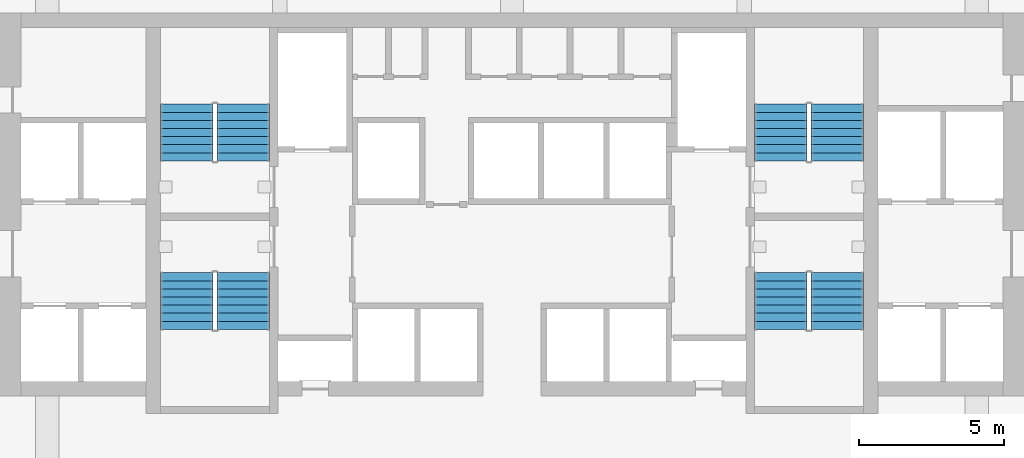
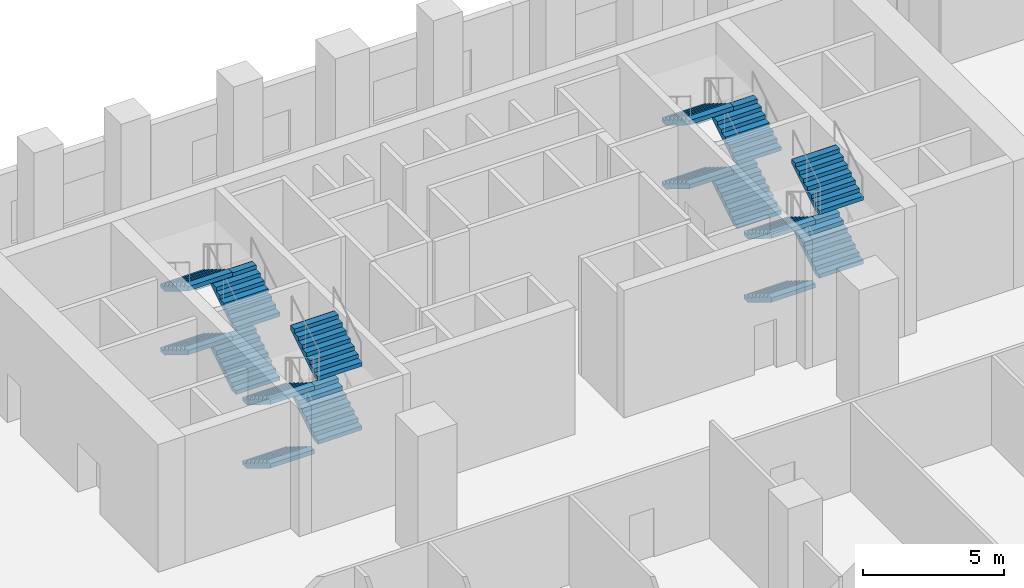
# One storey, part 15 of 22: 16 stair flights, 4 elements without a shape of their own.
"""IFC4 building model written with IfcOpenShell, lengths in metres."""

import ifcopenshell
import ifcopenshell.guid

model = None  # the IFC model being written
_history = None  # IfcOwnerHistory: only IFC2X3 demands one
_inside = {}  # id of a spatial element -> (the spatial element, [elements in it])
_under = {}  # id of a project, library or spatial element -> (it, [spatial elements below it])
_declared = {}  # id of a project -> (the project, [libraries it declares])
_typed = {}  # id of a type object -> (the type object, [elements of that type])
_made_of = {}  # id of a material, layer set ... -> (it, [elements and type objects made of it])


def new_model(schema):
    """Start an empty IFC model of exactly this schema.

    Asked for "IFC4X3", IfcOpenShell would pick the latest addendum, in which some entities
    have other attributes; the version numbers below select the first issue.
    IFC2X3 requires an IfcOwnerHistory on every rooted entity: one is made here for all.
    """
    global model, _history
    if schema == "IFC4X3":
        model = ifcopenshell.file(schema_version=(4, 3, 0, 0))
    else:
        model = ifcopenshell.file(schema=schema)
    _inside.clear()
    _under.clear()
    _declared.clear()
    _typed.clear()
    _made_of.clear()
    _history = None
    if model.schema == "IFC2X3":
        org = make("IfcOrganization", Name="unknown")
        user = make(
            "IfcPersonAndOrganization",
            ThePerson=make("IfcPerson", FamilyName="unknown"),
            TheOrganization=org,
        )
        app = make(
            "IfcApplication",
            ApplicationDeveloper=org,
            Version="unknown",
            ApplicationFullName="unknown",
            ApplicationIdentifier="unknown",
        )
        _history = make(
            "IfcOwnerHistory",
            OwningUser=user,
            OwningApplication=app,
            ChangeAction="ADDED",
            CreationDate=0,
        )
    return model


def make(cls, **values):
    """One entity of the class cls with the attributes given. An attribute that is None is left unset."""
    return model.create_entity(
        cls, **{name: value for name, value in values.items() if value is not None}
    )


def rooted(cls, **values):
    """An entity with a GlobalId (a new one), such as an element, a storey or a relation."""
    return make(cls, GlobalId=ifcopenshell.guid.new(), OwnerHistory=_history, **values)


def si_unit(unit_type, name, prefix=None):
    """IfcSIUnit, for example si_unit("LENGTHUNIT", "METRE", prefix="MILLI")."""
    return make("IfcSIUnit", UnitType=unit_type, Prefix=prefix, Name=name)


def assignment(units):
    """IfcUnitAssignment: the units of a project."""
    return None if units is None else make("IfcUnitAssignment", Units=units)


def point(xyz):
    """IfcCartesianPoint."""
    return None if xyz is None else make("IfcCartesianPoint", Coordinates=xyz)


def direction(xyz):
    """IfcDirection."""
    return None if xyz is None else make("IfcDirection", DirectionRatios=xyz)


def frame(location, z_axis=None, x_axis=None):
    """IfcAxis2Placement3D, a coordinate frame: its origin and axes. An axis left out is left unset."""
    return make(
        "IfcAxis2Placement3D",
        Location=point(location),
        Axis=direction(z_axis),
        RefDirection=direction(x_axis),
    )


def origin():
    """The frame at (0, 0, 0) with its axes left unset."""
    return frame((0.0, 0.0, 0.0))


def place(relative_to, where):
    """IfcLocalPlacement: puts the frame where relative to a parent placement (None: the world)."""
    return make(
        "IfcLocalPlacement", PlacementRelTo=relative_to, RelativePlacement=where
    )


def context(
    kind, dimensions, precision=None, world=None, true_north=None, identifier=None
):
    """IfcGeometricRepresentationContext, for example the 3D "Model" context."""
    return make(
        "IfcGeometricRepresentationContext",
        ContextIdentifier=identifier,
        ContextType=kind,
        CoordinateSpaceDimension=dimensions,
        Precision=precision,
        WorldCoordinateSystem=world,
        TrueNorth=true_north,
    )


def subcontext(parent, identifier, kind, view, scale=None):
    """IfcGeometricRepresentationSubContext, for example "Body" below "Model"."""
    return make(
        "IfcGeometricRepresentationSubContext",
        ContextIdentifier=identifier,
        ContextType=kind,
        ParentContext=parent,
        TargetScale=scale,
        TargetView=view,
    )


def project(units=None, contexts=None):
    """IfcProject with its units and contexts."""
    return rooted(
        "IfcProject",
        Name="project",
        RepresentationContexts=contexts,
        UnitsInContext=assignment(units),
    )


def spatial(cls, under=None, at=None, **own):
    """A site, building, storey or space (cls), placed at a placement, below another one or the project."""
    s = rooted(cls, ObjectPlacement=at, **own)
    if under is not None:
        _under.setdefault(under.id(), (under, []))[1].append(s)
    return s


def faces_of(points, faces, orient=None, outer=None):
    """IfcFace entities. A face is a list of loops; a loop is a list of indices into points, from 0.

    orient and outer hold one flag for each loop. By default every Orientation is true, the
    first loop of a face is its IfcFaceOuterBound and the others are IfcFaceBound.
    """
    made = []
    for i, loops in enumerate(faces):
        bounds = []
        for j, loop in enumerate(loops):
            is_outer = j == 0 if outer is None else outer[i][j]
            bounds.append(
                make(
                    "IfcFaceOuterBound" if is_outer else "IfcFaceBound",
                    Bound=make("IfcPolyLoop", Polygon=[points[k] for k in loop]),
                    Orientation=True if orient is None else orient[i][j],
                )
            )
        made.append(make("IfcFace", Bounds=bounds))
    return made


def faceted_brep(points, faces, orient=None, outer=None, voids=None):
    """IfcFacetedBrep: a solid bounded by flat faces; with voids (closed shells), ...WithVoids."""
    shared = [point(p) for p in points]
    hull = make("IfcClosedShell", CfsFaces=faces_of(shared, faces, orient, outer))
    if voids is None:
        return make("IfcFacetedBrep", Outer=hull)
    return make(
        "IfcFacetedBrepWithVoids",
        Outer=hull,
        Voids=[
            make(cls, CfsFaces=faces_of(shared, fs, o, b)) for cls, fs, o, b in voids
        ],
    )


def shape(context_of_items, identifier, shape_type, items):
    """IfcShapeRepresentation: the items that make up one representation, for example the "Body"."""
    return make(
        "IfcShapeRepresentation",
        ContextOfItems=context_of_items,
        RepresentationIdentifier=identifier,
        RepresentationType=shape_type,
        Items=items,
    )


def source(mapping_origin, context_of_items, identifier, shape_type, items):
    """IfcRepresentationMap: a shape defined once, which mapped items show again and again."""
    return make(
        "IfcRepresentationMap",
        MappingOrigin=mapping_origin,
        MappedRepresentation=shape(context_of_items, identifier, shape_type, items),
    )


def transform(
    local_origin,
    x_axis=None,
    y_axis=None,
    z_axis=None,
    scale=None,
    scale2=None,
    scale3=None,
    uniform=True,
):
    """IfcCartesianTransformationOperator3D, or its non-uniform kind. x_axis, y_axis, z_axis: its Axis1, 2, 3."""
    if uniform:
        return make(
            "IfcCartesianTransformationOperator3D",
            Axis1=direction(x_axis),
            Axis2=direction(y_axis),
            LocalOrigin=point(local_origin),
            Scale=scale,
            Axis3=direction(z_axis),
        )
    return make(
        "IfcCartesianTransformationOperator3DnonUniform",
        Axis1=direction(x_axis),
        Axis2=direction(y_axis),
        LocalOrigin=point(local_origin),
        Scale=scale,
        Axis3=direction(z_axis),
        Scale2=scale2,
        Scale3=scale3,
    )


def mapped(mapping_source, mapping_target):
    """IfcMappedItem: shows the shape of a source again, moved by a transform."""
    return make(
        "IfcMappedItem", MappingSource=mapping_source, MappingTarget=mapping_target
    )


def material(Name=None, Category=None):
    """IfcMaterial."""
    return make("IfcMaterial", Name=Name, Category=Category)


def made_of(thing, what):
    """Note that an element or type object is made of a material, layer set ...; save() writes the relation."""
    if what is not None:
        _made_of.setdefault(what.id(), (what, []))[1].append(thing)
    return thing


def type_object(cls, material=None, **own):
    """A type object (cls), such as IfcWallType, which elements share."""
    return made_of(rooted(cls, **own), material)


def element(
    cls,
    number,
    at=None,
    inside=None,
    cuts=None,
    type_object=None,
    material=None,
    context=None,
    identifier="Body",
    shape_type=None,
    held_by="IfcProductDefinitionShape",
    body=None,
    shapes=None,
    **own,
):
    """One element of the class cls, such as IfcWall. Its Tag is "e" and its number.

    at: its placement. inside: the storey or other place that contains it. cuts: it is an
    opening in that element (IfcRelVoidsElement). A single representation is given by context,
    identifier, shape_type and body (its items); several are given by shapes. held_by: the class
    of the entity that holds the representations. save() writes the other relations.
    """
    e = rooted(cls, Tag="e%d" % number, ObjectPlacement=at, **own)
    if body is not None:
        shapes = [shape(context, identifier, shape_type, body)]
    if shapes is not None:
        e.Representation = make(held_by, Representations=shapes)
    if inside is not None:
        _inside.setdefault(inside.id(), (inside, []))[1].append(e)
    if cuts is not None:
        rooted(
            "IfcRelVoidsElement", RelatingBuildingElement=cuts, RelatedOpeningElement=e
        )
    if type_object is not None:
        _typed.setdefault(type_object.id(), (type_object, []))[1].append(e)
    return made_of(e, material)


def aggregate(whole, parts):
    """IfcRelAggregates: a whole, such as a stair, and the parts it consists of."""
    return rooted("IfcRelAggregates", RelatingObject=whole, RelatedObjects=parts)


def save(model, path):
    """Write the relations noted so far, then the file.

    IfcRelAggregates (storeys below a building ...), IfcRelContainedInSpatialStructure (elements
    in a storey), IfcRelDefinesByType, IfcRelAssociatesMaterial and IfcRelDeclares: one each for
    every whole, place, type object, material and project.
    """
    for whole, parts in _under.values():
        aggregate(whole, parts)
    for where, things in _inside.values():
        rooted(
            "IfcRelContainedInSpatialStructure",
            RelatedElements=things,
            RelatingStructure=where,
        )
    for kind, things in _typed.values():
        rooted("IfcRelDefinesByType", RelatedObjects=things, RelatingType=kind)
    for what, things in _made_of.values():
        rooted("IfcRelAssociatesMaterial", RelatedObjects=things, RelatingMaterial=what)
    for by, libraries in _declared.values():
        rooted("IfcRelDeclares", RelatingContext=by, RelatedDefinitions=libraries)
    model.write(path)


model = new_model("IFC4")

# Units and contexts
model_context = context("Model", 3, precision=1e-05, world=origin(), true_north=direction((0.0, 1.0)))
body_context = subcontext(model_context, "Body", "Model", "MODEL_VIEW")
ifc_project = project(units=[si_unit("LENGTHUNIT", "METRE"), si_unit("AREAUNIT", "SQUARE_METRE"), si_unit("VOLUMEUNIT", "CUBIC_METRE"), si_unit("PLANEANGLEUNIT", "RADIAN"), si_unit("MASSUNIT", "GRAM", prefix="KILO")], contexts=[model_context])

# Site, building, storey
site_placement = place(None, origin())
site = spatial("IfcSite", under=ifc_project, at=site_placement, CompositionType="ELEMENT")
building_placement = place(site_placement, origin())
building = spatial("IfcBuilding", under=site, at=building_placement, Name="Calabash Gate Tower", CompositionType="ELEMENT")
storey_placement = place(building_placement, frame((0.0, 0.0, 34.5)))
storey = spatial("IfcBuildingStorey", under=building, at=storey_placement, Name="L04", CompositionType="ELEMENT", Elevation=34.5)

# Stair, stair flights
ifc_material_1 = material(Name="Concrete C40/50", Category="concrete")
stair_type = type_object("IfcStairType", Name="Exit stair 32 risers of 171.9 mm", PredefinedType="HALF_TURN_STAIR", material=ifc_material_1)
stair_1_placement = place(storey_placement, origin())
stair_1 = element("IfcStair", 1, at=stair_1_placement, inside=storey, type_object=stair_type, Name="L04 Exit stair ST1", PredefinedType="HALF_TURN_STAIR")
ifc_material_2 = material(Name="Concrete C40/50", Category="concrete")
stair_flight_type = type_object("IfcStairFlightType", Name="Exit stair flight SFL", PredefinedType="STRAIGHT", material=ifc_material_2)
shared_shape = source(origin(), body_context, "Body", "Brep", [
    faceted_brep([(-0.0009765625, -0.89990234375, 0.0), (0.285888671875, -0.89990234375, 0.0), (1.9541015625, -0.89990234375, 1.027099609375), (-0.0009765625, 0.89990234375, 0.0), (1.9541015625, 0.89990234375, 1.027099609375), (0.285888671875, 0.89990234375, 0.0), (1.9541015625, -0.89990234375, 1.215087890625), (1.952880859375, -0.89990234375, 1.215087890625), (1.952880859375, 0.89990234375, 1.215087890625), (1.9541015625, 0.89990234375, 1.215087890625), (1.952880859375, -0.89990234375, 1.203125), (1.952880859375, 0.89990234375, 1.203125), (1.674072265625, -0.89990234375, 1.203125), (1.674072265625, 0.89990234375, 1.203125), (1.674072265625, -0.89990234375, 1.03125), (1.674072265625, 0.89990234375, 1.03125), (1.39501953125, -0.89990234375, 1.03125), (1.39501953125, 0.89990234375, 1.03125), (1.39501953125, -0.89990234375, 0.859375), (1.39501953125, 0.89990234375, 0.859375), (1.115966796875, -0.89990234375, 0.859375), (1.115966796875, -0.89990234375, 0.6875), (1.115966796875, 0.89990234375, 0.6875), (1.115966796875, 0.89990234375, 0.859375), (0.8369140625, -0.89990234375, 0.6875), (0.8369140625, -0.89990234375, 0.515625), (0.8369140625, 0.89990234375, 0.515625), (0.8369140625, 0.89990234375, 0.6875), (0.55810546875, -0.89990234375, 0.515625), (0.55810546875, -0.89990234375, 0.34375), (0.55810546875, 0.89990234375, 0.34375), (0.55810546875, 0.89990234375, 0.515625), (0.279052734375, -0.89990234375, 0.34375), (0.279052734375, -0.89990234375, 0.171875), (0.279052734375, 0.89990234375, 0.171875), (0.279052734375, 0.89990234375, 0.34375), (-0.0009765625, -0.89990234375, 0.171875), (-0.0009765625, 0.89990234375, 0.171875), (0.285888671875, -0.360107421875, 0.0), (1.9541015625, -0.360107421875, 1.027099609375), (0.285888671875, -0.27001953125, 0.0), (1.9541015625, -0.27001953125, 1.027099609375), (0.285888671875, -0.179931640625, 0.0), (1.9541015625, -0.179931640625, 1.027099609375), (0.285888671875, -0.090087890625, 0.0), (1.9541015625, -0.090087890625, 1.027099609375), (0.285888671875, 0.0, 0.0), (1.9541015625, 0.0, 1.027099609375), (0.285888671875, 0.090087890625, 0.0), (1.9541015625, 0.090087890625, 1.027099609375), (0.285888671875, 0.179931640625, 0.0), (1.9541015625, 0.179931640625, 1.027099609375), (0.285888671875, 0.27001953125, 0.0), (1.9541015625, 0.27001953125, 1.027099609375), (0.285888671875, 0.360107421875, 0.0), (1.9541015625, 0.360107421875, 1.027099609375), (1.9541015625, -0.360107421875, 1.215087890625), (1.9541015625, -0.27001953125, 1.215087890625), (1.9541015625, -0.179931640625, 1.215087890625), (1.9541015625, -0.090087890625, 1.215087890625), (1.9541015625, 0.0, 1.215087890625), (1.9541015625, 0.090087890625, 1.215087890625), (1.9541015625, 0.179931640625, 1.215087890625), (1.9541015625, 0.27001953125, 1.215087890625), (1.9541015625, 0.360107421875, 1.215087890625), (1.952880859375, -0.360107421875, 1.215087890625), (1.952880859375, -0.27001953125, 1.215087890625), (1.952880859375, -0.179931640625, 1.215087890625), (1.952880859375, -0.090087890625, 1.215087890625), (1.952880859375, 0.0, 1.215087890625), (1.952880859375, 0.090087890625, 1.215087890625), (1.952880859375, 0.179931640625, 1.215087890625), (1.952880859375, 0.27001953125, 1.215087890625), (1.952880859375, 0.360107421875, 1.215087890625), (1.952880859375, -0.360107421875, 1.203125), (1.952880859375, -0.27001953125, 1.203125), (1.952880859375, -0.179931640625, 1.203125), (1.952880859375, -0.090087890625, 1.203125), (1.952880859375, 0.0, 1.203125), (1.952880859375, 0.090087890625, 1.203125), (1.952880859375, 0.179931640625, 1.203125), (1.952880859375, 0.27001953125, 1.203125), (1.952880859375, 0.360107421875, 1.203125), (1.674072265625, -0.360107421875, 1.203125), (1.674072265625, -0.27001953125, 1.203125), (1.674072265625, -0.179931640625, 1.203125), (1.674072265625, -0.090087890625, 1.203125), (1.674072265625, 0.0, 1.203125), (1.674072265625, 0.090087890625, 1.203125), (1.674072265625, 0.179931640625, 1.203125), (1.674072265625, 0.27001953125, 1.203125), (1.674072265625, 0.360107421875, 1.203125), (1.674072265625, -0.360107421875, 1.03125), (1.674072265625, -0.27001953125, 1.03125), (1.674072265625, -0.179931640625, 1.03125), (1.674072265625, -0.090087890625, 1.03125), (1.674072265625, 0.0, 1.03125), (1.674072265625, 0.090087890625, 1.03125), (1.674072265625, 0.179931640625, 1.03125), (1.674072265625, 0.27001953125, 1.03125), (1.674072265625, 0.360107421875, 1.03125), (1.39501953125, -0.360107421875, 1.03125), (1.39501953125, -0.27001953125, 1.03125), (1.39501953125, -0.179931640625, 1.03125), (1.39501953125, -0.090087890625, 1.03125), (1.39501953125, 0.0, 1.03125), (1.39501953125, 0.090087890625, 1.03125), (1.39501953125, 0.179931640625, 1.03125), (1.39501953125, 0.27001953125, 1.03125), (1.39501953125, 0.360107421875, 1.03125), (1.39501953125, -0.360107421875, 0.859375), (1.39501953125, -0.27001953125, 0.859375), (1.39501953125, -0.179931640625, 0.859375), (1.39501953125, -0.090087890625, 0.859375), (1.39501953125, 0.0, 0.859375), (1.39501953125, 0.090087890625, 0.859375), (1.39501953125, 0.179931640625, 0.859375), (1.39501953125, 0.27001953125, 0.859375), (1.39501953125, 0.360107421875, 0.859375), (1.115966796875, -0.360107421875, 0.859375), (1.115966796875, -0.27001953125, 0.859375), (1.115966796875, -0.179931640625, 0.859375), (1.115966796875, -0.090087890625, 0.859375), (1.115966796875, 0.0, 0.859375), (1.115966796875, 0.090087890625, 0.859375), (1.115966796875, 0.179931640625, 0.859375), (1.115966796875, 0.27001953125, 0.859375), (1.115966796875, 0.360107421875, 0.859375), (1.115966796875, -0.360107421875, 0.6875), (1.115966796875, -0.27001953125, 0.6875), (1.115966796875, -0.179931640625, 0.6875), (1.115966796875, -0.090087890625, 0.6875), (1.115966796875, 0.0, 0.6875), (1.115966796875, 0.090087890625, 0.6875), (1.115966796875, 0.179931640625, 0.6875), (1.115966796875, 0.27001953125, 0.6875), (1.115966796875, 0.360107421875, 0.6875), (0.8369140625, -0.360107421875, 0.6875), (0.8369140625, -0.27001953125, 0.6875), (0.8369140625, -0.179931640625, 0.6875), (0.8369140625, -0.090087890625, 0.6875), (0.8369140625, 0.0, 0.6875), (0.8369140625, 0.090087890625, 0.6875), (0.8369140625, 0.179931640625, 0.6875), (0.8369140625, 0.27001953125, 0.6875), (0.8369140625, 0.360107421875, 0.6875), (0.8369140625, -0.360107421875, 0.515625), (0.8369140625, -0.27001953125, 0.515625), (0.8369140625, -0.179931640625, 0.515625), (0.8369140625, -0.090087890625, 0.515625), (0.8369140625, 0.0, 0.515625), (0.8369140625, 0.090087890625, 0.515625), (0.8369140625, 0.179931640625, 0.515625), (0.8369140625, 0.27001953125, 0.515625), (0.8369140625, 0.360107421875, 0.515625), (0.55810546875, -0.360107421875, 0.515625), (0.55810546875, -0.27001953125, 0.515625), (0.55810546875, -0.179931640625, 0.515625), (0.55810546875, -0.090087890625, 0.515625), (0.55810546875, 0.0, 0.515625), (0.55810546875, 0.090087890625, 0.515625), (0.55810546875, 0.179931640625, 0.515625), (0.55810546875, 0.27001953125, 0.515625), (0.55810546875, 0.360107421875, 0.515625), (0.55810546875, -0.360107421875, 0.34375), (0.55810546875, -0.27001953125, 0.34375), (0.55810546875, -0.179931640625, 0.34375), (0.55810546875, -0.090087890625, 0.34375), (0.55810546875, 0.0, 0.34375), (0.55810546875, 0.090087890625, 0.34375), (0.55810546875, 0.179931640625, 0.34375), (0.55810546875, 0.27001953125, 0.34375), (0.55810546875, 0.360107421875, 0.34375), (0.279052734375, -0.360107421875, 0.34375), (0.279052734375, -0.27001953125, 0.34375), (0.279052734375, -0.179931640625, 0.34375), (0.279052734375, -0.090087890625, 0.34375), (0.279052734375, 0.0, 0.34375), (0.279052734375, 0.090087890625, 0.34375), (0.279052734375, 0.179931640625, 0.34375), (0.279052734375, 0.27001953125, 0.34375), (0.279052734375, 0.360107421875, 0.34375), (0.279052734375, -0.360107421875, 0.171875), (0.279052734375, -0.27001953125, 0.171875), (0.279052734375, -0.179931640625, 0.171875), (0.279052734375, -0.090087890625, 0.171875), (0.279052734375, 0.0, 0.171875), (0.279052734375, 0.090087890625, 0.171875), (0.279052734375, 0.179931640625, 0.171875), (0.279052734375, 0.27001953125, 0.171875), (0.279052734375, 0.360107421875, 0.171875), (-0.0009765625, -0.360107421875, 0.171875), (-0.0009765625, -0.27001953125, 0.171875), (-0.0009765625, -0.179931640625, 0.171875), (-0.0009765625, -0.090087890625, 0.171875), (-0.0009765625, 0.0, 0.171875), (-0.0009765625, 0.090087890625, 0.171875), (-0.0009765625, 0.179931640625, 0.171875), (-0.0009765625, 0.27001953125, 0.171875), (-0.0009765625, 0.360107421875, 0.171875), (-0.0009765625, -0.360107421875, 0.0), (-0.0009765625, -0.27001953125, 0.0), (-0.0009765625, -0.179931640625, 0.0), (-0.0009765625, -0.090087890625, 0.0), (-0.0009765625, 0.0, 0.0), (-0.0009765625, 0.090087890625, 0.0), (-0.0009765625, 0.179931640625, 0.0), (-0.0009765625, 0.27001953125, 0.0), (-0.0009765625, 0.360107421875, 0.0)], [[[0, 1, 2]], [[3, 4, 5]], [[2, 6, 7]], [[4, 8, 9]], [[2, 7, 10]], [[4, 11, 8]], [[2, 10, 12]], [[4, 13, 11]], [[2, 12, 14]], [[4, 15, 13]], [[2, 14, 16]], [[4, 17, 15]], [[2, 16, 18]], [[4, 19, 17]], [[18, 20, 21]], [[19, 22, 23]], [[2, 18, 21]], [[4, 22, 19]], [[21, 24, 25]], [[22, 26, 27]], [[2, 21, 25]], [[4, 26, 22]], [[25, 28, 29]], [[26, 30, 31]], [[2, 25, 29]], [[4, 30, 26]], [[29, 32, 33]], [[30, 34, 35]], [[2, 29, 33]], [[4, 34, 30]], [[0, 2, 33]], [[3, 34, 4]], [[33, 36, 0]], [[34, 3, 37]], [[1, 38, 2]], [[38, 39, 2]], [[38, 40, 39]], [[40, 41, 39]], [[40, 42, 41]], [[42, 43, 41]], [[42, 44, 43]], [[44, 45, 43]], [[44, 46, 45]], [[46, 47, 45]], [[46, 48, 49]], [[46, 49, 47]], [[48, 50, 51]], [[48, 51, 49]], [[50, 52, 53]], [[50, 53, 51]], [[52, 54, 55]], [[52, 55, 53]], [[54, 5, 4]], [[54, 4, 55]], [[2, 39, 6]], [[39, 56, 6]], [[39, 41, 56]], [[41, 57, 56]], [[41, 43, 57]], [[43, 58, 57]], [[43, 45, 58]], [[45, 59, 58]], [[45, 47, 59]], [[47, 60, 59]], [[47, 49, 61]], [[47, 61, 60]], [[49, 51, 62]], [[49, 62, 61]], [[51, 53, 63]], [[51, 63, 62]], [[53, 55, 64]], [[53, 64, 63]], [[55, 4, 9]], [[55, 9, 64]], [[6, 56, 7]], [[56, 65, 7]], [[56, 57, 65]], [[57, 66, 65]], [[57, 58, 66]], [[58, 67, 66]], [[58, 59, 67]], [[59, 68, 67]], [[59, 60, 68]], [[60, 69, 68]], [[60, 61, 70]], [[60, 70, 69]], [[61, 62, 71]], [[61, 71, 70]], [[62, 63, 72]], [[62, 72, 71]], [[63, 64, 73]], [[63, 73, 72]], [[64, 9, 8]], [[64, 8, 73]], [[7, 65, 10]], [[65, 74, 10]], [[65, 66, 74]], [[66, 75, 74]], [[66, 67, 75]], [[67, 76, 75]], [[67, 68, 76]], [[68, 77, 76]], [[68, 69, 77]], [[69, 78, 77]], [[69, 70, 79]], [[69, 79, 78]], [[70, 71, 80]], [[70, 80, 79]], [[71, 72, 81]], [[71, 81, 80]], [[72, 73, 82]], [[72, 82, 81]], [[73, 8, 11]], [[73, 11, 82]], [[10, 74, 12]], [[74, 83, 12]], [[74, 75, 83]], [[75, 84, 83]], [[75, 76, 84]], [[76, 85, 84]], [[76, 77, 85]], [[77, 86, 85]], [[77, 78, 86]], [[78, 87, 86]], [[78, 79, 88]], [[78, 88, 87]], [[79, 80, 89]], [[79, 89, 88]], [[80, 81, 90]], [[80, 90, 89]], [[81, 82, 91]], [[81, 91, 90]], [[82, 11, 13]], [[82, 13, 91]], [[12, 83, 14]], [[83, 92, 14]], [[83, 84, 92]], [[84, 93, 92]], [[84, 85, 93]], [[85, 94, 93]], [[85, 86, 94]], [[86, 95, 94]], [[86, 87, 95]], [[87, 96, 95]], [[87, 88, 97]], [[87, 97, 96]], [[88, 89, 98]], [[88, 98, 97]], [[89, 90, 99]], [[89, 99, 98]], [[90, 91, 100]], [[90, 100, 99]], [[91, 13, 15]], [[91, 15, 100]], [[14, 92, 16]], [[92, 101, 16]], [[92, 93, 101]], [[93, 102, 101]], [[93, 94, 102]], [[94, 103, 102]], [[94, 95, 103]], [[95, 104, 103]], [[95, 96, 104]], [[96, 105, 104]], [[96, 97, 106]], [[96, 106, 105]], [[97, 98, 107]], [[97, 107, 106]], [[98, 99, 108]], [[98, 108, 107]], [[99, 100, 109]], [[99, 109, 108]], [[100, 15, 17]], [[100, 17, 109]], [[16, 101, 18]], [[101, 110, 18]], [[101, 102, 110]], [[102, 111, 110]], [[102, 103, 111]], [[103, 112, 111]], [[103, 104, 112]], [[104, 113, 112]], [[104, 105, 113]], [[105, 114, 113]], [[105, 106, 115]], [[105, 115, 114]], [[106, 107, 116]], [[106, 116, 115]], [[107, 108, 117]], [[107, 117, 116]], [[108, 109, 118]], [[108, 118, 117]], [[109, 17, 19]], [[109, 19, 118]], [[18, 110, 20]], [[110, 119, 20]], [[110, 111, 119]], [[111, 120, 119]], [[111, 112, 120]], [[112, 121, 120]], [[112, 113, 121]], [[113, 122, 121]], [[113, 114, 122]], [[114, 123, 122]], [[114, 115, 124]], [[114, 124, 123]], [[115, 116, 125]], [[115, 125, 124]], [[116, 117, 126]], [[116, 126, 125]], [[117, 118, 127]], [[117, 127, 126]], [[118, 19, 23]], [[118, 23, 127]], [[20, 119, 21]], [[119, 128, 21]], [[119, 120, 128]], [[120, 129, 128]], [[120, 121, 129]], [[121, 130, 129]], [[121, 122, 130]], [[122, 131, 130]], [[122, 123, 131]], [[123, 132, 131]], [[123, 124, 133]], [[123, 133, 132]], [[124, 125, 134]], [[124, 134, 133]], [[125, 126, 135]], [[125, 135, 134]], [[126, 127, 136]], [[126, 136, 135]], [[127, 23, 22]], [[127, 22, 136]], [[21, 128, 24]], [[128, 137, 24]], [[128, 129, 137]], [[129, 138, 137]], [[129, 130, 138]], [[130, 139, 138]], [[130, 131, 139]], [[131, 140, 139]], [[131, 132, 140]], [[132, 141, 140]], [[132, 133, 142]], [[132, 142, 141]], [[133, 134, 143]], [[133, 143, 142]], [[134, 135, 144]], [[134, 144, 143]], [[135, 136, 145]], [[135, 145, 144]], [[136, 22, 27]], [[136, 27, 145]], [[24, 137, 25]], [[137, 146, 25]], [[137, 138, 146]], [[138, 147, 146]], [[138, 139, 147]], [[139, 148, 147]], [[139, 140, 148]], [[140, 149, 148]], [[140, 141, 149]], [[141, 150, 149]], [[141, 142, 151]], [[141, 151, 150]], [[142, 143, 152]], [[142, 152, 151]], [[143, 144, 153]], [[143, 153, 152]], [[144, 145, 154]], [[144, 154, 153]], [[145, 27, 26]], [[145, 26, 154]], [[25, 146, 28]], [[146, 155, 28]], [[146, 147, 155]], [[147, 156, 155]], [[147, 148, 156]], [[148, 157, 156]], [[148, 149, 157]], [[149, 158, 157]], [[149, 150, 158]], [[150, 159, 158]], [[150, 151, 160]], [[150, 160, 159]], [[151, 152, 161]], [[151, 161, 160]], [[152, 153, 162]], [[152, 162, 161]], [[153, 154, 163]], [[153, 163, 162]], [[154, 26, 31]], [[154, 31, 163]], [[28, 155, 29]], [[155, 164, 29]], [[155, 156, 164]], [[156, 165, 164]], [[156, 157, 165]], [[157, 166, 165]], [[157, 158, 166]], [[158, 167, 166]], [[158, 159, 167]], [[159, 168, 167]], [[159, 160, 169]], [[159, 169, 168]], [[160, 161, 170]], [[160, 170, 169]], [[161, 162, 171]], [[161, 171, 170]], [[162, 163, 172]], [[162, 172, 171]], [[163, 31, 30]], [[163, 30, 172]], [[29, 164, 32]], [[164, 173, 32]], [[164, 165, 173]], [[165, 174, 173]], [[165, 166, 174]], [[166, 175, 174]], [[166, 167, 175]], [[167, 176, 175]], [[167, 168, 176]], [[168, 177, 176]], [[168, 169, 178]], [[168, 178, 177]], [[169, 170, 179]], [[169, 179, 178]], [[170, 171, 180]], [[170, 180, 179]], [[171, 172, 181]], [[171, 181, 180]], [[172, 30, 35]], [[172, 35, 181]], [[32, 173, 33]], [[173, 182, 33]], [[173, 174, 182]], [[174, 183, 182]], [[174, 175, 183]], [[175, 184, 183]], [[175, 176, 184]], [[176, 185, 184]], [[176, 177, 185]], [[177, 186, 185]], [[177, 178, 187]], [[177, 187, 186]], [[178, 179, 188]], [[178, 188, 187]], [[179, 180, 189]], [[179, 189, 188]], [[180, 181, 190]], [[180, 190, 189]], [[181, 35, 34]], [[181, 34, 190]], [[33, 182, 36]], [[182, 191, 36]], [[182, 183, 191]], [[183, 192, 191]], [[183, 184, 192]], [[184, 193, 192]], [[184, 185, 193]], [[185, 194, 193]], [[185, 186, 194]], [[186, 195, 194]], [[186, 187, 196]], [[186, 196, 195]], [[187, 188, 197]], [[187, 197, 196]], [[188, 189, 198]], [[188, 198, 197]], [[189, 190, 199]], [[189, 199, 198]], [[190, 34, 37]], [[190, 37, 199]], [[36, 191, 0]], [[191, 200, 0]], [[191, 192, 200]], [[192, 201, 200]], [[192, 193, 201]], [[193, 202, 201]], [[193, 194, 202]], [[194, 203, 202]], [[194, 195, 203]], [[195, 204, 203]], [[195, 196, 205]], [[195, 205, 204]], [[196, 197, 206]], [[196, 206, 205]], [[197, 198, 207]], [[197, 207, 206]], [[198, 199, 208]], [[198, 208, 207]], [[199, 37, 3]], [[199, 3, 208]], [[0, 200, 1]], [[200, 38, 1]], [[200, 201, 38]], [[201, 40, 38]], [[201, 202, 40]], [[202, 42, 40]], [[202, 203, 42]], [[203, 44, 42]], [[203, 204, 44]], [[204, 46, 44]], [[204, 205, 48]], [[204, 48, 46]], [[205, 206, 50]], [[205, 50, 48]], [[206, 207, 52]], [[206, 52, 50]], [[207, 208, 54]], [[207, 54, 52]], [[208, 3, 5]], [[208, 5, 54]]]),
])
stair_flight_1_placement = place(storey_placement, frame((-9.25, 13.95263671875, 0.0), z_axis=(0.0, 0.0, 1.0), x_axis=(0.0, 1.0, 0.0)))
stair_flight_1 = element("IfcStairFlight", 2, at=stair_flight_1_placement, type_object=stair_flight_type, Name="ST1 flight 1", NumberOfRisers=8, NumberOfTreads=7, PredefinedType="STRAIGHT", RiserHeight=0.171875, TreadLength=0.279, context=body_context, shape_type="MappedRepresentation", body=[
    mapped(shared_shape, transform((0.0, 0.0, 0.0), scale=1.0)),
])
stair_flight_2_placement = place(storey_placement, frame((-11.199951171875, 15.905517578125, 1.375), z_axis=(0.0, 0.0, 1.0), x_axis=(0.0, -1.0, 0.0)))
stair_flight_2 = element("IfcStairFlight", 3, at=stair_flight_2_placement, type_object=stair_flight_type, Name="ST1 flight 2", NumberOfRisers=8, NumberOfTreads=7, PredefinedType="STRAIGHT", RiserHeight=0.171875, TreadLength=0.279, context=body_context, shape_type="MappedRepresentation", body=[
    mapped(shared_shape, transform((0.0, 0.0, 0.0), scale=1.0)),
])
stair_flight_3_placement = place(storey_placement, frame((-9.25, 13.95263671875, 2.75), z_axis=(0.0, 0.0, 1.0), x_axis=(0.0, 1.0, 0.0)))
stair_flight_3 = element("IfcStairFlight", 4, at=stair_flight_3_placement, type_object=stair_flight_type, Name="ST1 flight 3", NumberOfRisers=8, NumberOfTreads=7, PredefinedType="STRAIGHT", RiserHeight=0.171875, TreadLength=0.279, context=body_context, shape_type="MappedRepresentation", body=[
    mapped(shared_shape, transform((0.0, 0.0, 0.0), scale=1.0)),
])
stair_flight_4_placement = place(storey_placement, frame((-11.199951171875, 15.905517578125, 4.125), z_axis=(0.0, 0.0, 1.0), x_axis=(0.0, -1.0, 0.0)))
stair_flight_4 = element("IfcStairFlight", 5, at=stair_flight_4_placement, type_object=stair_flight_type, Name="ST1 flight 4", NumberOfRisers=8, NumberOfTreads=7, PredefinedType="STRAIGHT", RiserHeight=0.171875, TreadLength=0.279, context=body_context, shape_type="MappedRepresentation", body=[
    mapped(shared_shape, transform((0.0, 0.0, 0.0), scale=1.0)),
])
aggregate(stair_1, [stair_flight_1, stair_flight_2, stair_flight_3, stair_flight_4])

stair_2_placement = place(storey_placement, origin())
stair_2 = element("IfcStair", 6, at=stair_2_placement, inside=storey, type_object=stair_type, Name="L04 Exit stair ST2", PredefinedType="HALF_TURN_STAIR")
stair_flight_5_placement = place(storey_placement, frame((-11.199951171875, 10.1025390625, 0.0), z_axis=(0.0, 0.0, 1.0), x_axis=(0.0, -1.0, 0.0)))
stair_flight_5 = element("IfcStairFlight", 7, at=stair_flight_5_placement, type_object=stair_flight_type, Name="ST2 flight 1", NumberOfRisers=8, NumberOfTreads=7, PredefinedType="STRAIGHT", RiserHeight=0.171875, TreadLength=0.279, context=body_context, shape_type="MappedRepresentation", body=[
    mapped(shared_shape, transform((0.0, 0.0, 0.0), scale=1.0)),
])
stair_flight_6_placement = place(storey_placement, frame((-9.25, 8.149658203125, 1.375), z_axis=(0.0, 0.0, 1.0), x_axis=(0.0, 1.0, 0.0)))
stair_flight_6 = element("IfcStairFlight", 8, at=stair_flight_6_placement, type_object=stair_flight_type, Name="ST2 flight 2", NumberOfRisers=8, NumberOfTreads=7, PredefinedType="STRAIGHT", RiserHeight=0.171875, TreadLength=0.279, context=body_context, shape_type="MappedRepresentation", body=[
    mapped(shared_shape, transform((0.0, 0.0, 0.0), scale=1.0)),
])
stair_flight_7_placement = place(storey_placement, frame((-11.199951171875, 10.1025390625, 2.75), z_axis=(0.0, 0.0, 1.0), x_axis=(0.0, -1.0, 0.0)))
stair_flight_7 = element("IfcStairFlight", 9, at=stair_flight_7_placement, type_object=stair_flight_type, Name="ST2 flight 3", NumberOfRisers=8, NumberOfTreads=7, PredefinedType="STRAIGHT", RiserHeight=0.171875, TreadLength=0.279, context=body_context, shape_type="MappedRepresentation", body=[
    mapped(shared_shape, transform((0.0, 0.0, 0.0), scale=1.0)),
])
stair_flight_8_placement = place(storey_placement, frame((-9.25, 8.149658203125, 4.125), z_axis=(0.0, 0.0, 1.0), x_axis=(0.0, 1.0, 0.0)))
stair_flight_8 = element("IfcStairFlight", 10, at=stair_flight_8_placement, type_object=stair_flight_type, Name="ST2 flight 4", NumberOfRisers=8, NumberOfTreads=7, PredefinedType="STRAIGHT", RiserHeight=0.171875, TreadLength=0.279, context=body_context, shape_type="MappedRepresentation", body=[
    mapped(shared_shape, transform((0.0, 0.0, 0.0), scale=1.0)),
])
aggregate(stair_2, [stair_flight_5, stair_flight_6, stair_flight_7, stair_flight_8])

stair_3_placement = place(storey_placement, origin())
stair_3 = element("IfcStair", 11, at=stair_3_placement, inside=storey, type_object=stair_type, Name="L04 Exit stair ST3", PredefinedType="HALF_TURN_STAIR")
stair_flight_9_placement = place(storey_placement, frame((11.199951171875, 13.95263671875, 0.0), z_axis=(0.0, 0.0, 1.0), x_axis=(0.0, 1.0, 0.0)))
stair_flight_9 = element("IfcStairFlight", 12, at=stair_flight_9_placement, type_object=stair_flight_type, Name="ST3 flight 1", NumberOfRisers=8, NumberOfTreads=7, PredefinedType="STRAIGHT", RiserHeight=0.171875, TreadLength=0.279, context=body_context, shape_type="MappedRepresentation", body=[
    mapped(shared_shape, transform((0.0, 0.0, 0.0), scale=1.0)),
])
stair_flight_10_placement = place(storey_placement, frame((9.25, 15.905517578125, 1.375), z_axis=(0.0, 0.0, 1.0), x_axis=(0.0, -1.0, 0.0)))
stair_flight_10 = element("IfcStairFlight", 13, at=stair_flight_10_placement, type_object=stair_flight_type, Name="ST3 flight 2", NumberOfRisers=8, NumberOfTreads=7, PredefinedType="STRAIGHT", RiserHeight=0.171875, TreadLength=0.279, context=body_context, shape_type="MappedRepresentation", body=[
    mapped(shared_shape, transform((0.0, 0.0, 0.0), scale=1.0)),
])
stair_flight_11_placement = place(storey_placement, frame((11.199951171875, 13.95263671875, 2.75), z_axis=(0.0, 0.0, 1.0), x_axis=(0.0, 1.0, 0.0)))
stair_flight_11 = element("IfcStairFlight", 14, at=stair_flight_11_placement, type_object=stair_flight_type, Name="ST3 flight 3", NumberOfRisers=8, NumberOfTreads=7, PredefinedType="STRAIGHT", RiserHeight=0.171875, TreadLength=0.279, context=body_context, shape_type="MappedRepresentation", body=[
    mapped(shared_shape, transform((0.0, 0.0, 0.0), scale=1.0)),
])
stair_flight_12_placement = place(storey_placement, frame((9.25, 15.905517578125, 4.125), z_axis=(0.0, 0.0, 1.0), x_axis=(0.0, -1.0, 0.0)))
stair_flight_12 = element("IfcStairFlight", 15, at=stair_flight_12_placement, type_object=stair_flight_type, Name="ST3 flight 4", NumberOfRisers=8, NumberOfTreads=7, PredefinedType="STRAIGHT", RiserHeight=0.171875, TreadLength=0.279, context=body_context, shape_type="MappedRepresentation", body=[
    mapped(shared_shape, transform((0.0, 0.0, 0.0), scale=1.0)),
])
aggregate(stair_3, [stair_flight_9, stair_flight_10, stair_flight_11, stair_flight_12])

stair_4_placement = place(storey_placement, origin())
stair_4 = element("IfcStair", 16, at=stair_4_placement, inside=storey, type_object=stair_type, Name="L04 Exit stair ST4", PredefinedType="HALF_TURN_STAIR")
stair_flight_13_placement = place(storey_placement, frame((9.25, 10.1025390625, 0.0), z_axis=(0.0, 0.0, 1.0), x_axis=(0.0, -1.0, 0.0)))
stair_flight_13 = element("IfcStairFlight", 17, at=stair_flight_13_placement, type_object=stair_flight_type, Name="ST4 flight 1", NumberOfRisers=8, NumberOfTreads=7, PredefinedType="STRAIGHT", RiserHeight=0.171875, TreadLength=0.279, context=body_context, shape_type="MappedRepresentation", body=[
    mapped(shared_shape, transform((0.0, 0.0, 0.0), scale=1.0)),
])
stair_flight_14_placement = place(storey_placement, frame((11.199951171875, 8.149658203125, 1.375), z_axis=(0.0, 0.0, 1.0), x_axis=(0.0, 1.0, 0.0)))
stair_flight_14 = element("IfcStairFlight", 18, at=stair_flight_14_placement, type_object=stair_flight_type, Name="ST4 flight 2", NumberOfRisers=8, NumberOfTreads=7, PredefinedType="STRAIGHT", RiserHeight=0.171875, TreadLength=0.279, context=body_context, shape_type="MappedRepresentation", body=[
    mapped(shared_shape, transform((0.0, 0.0, 0.0), scale=1.0)),
])
stair_flight_15_placement = place(storey_placement, frame((9.25, 10.1025390625, 2.75), z_axis=(0.0, 0.0, 1.0), x_axis=(0.0, -1.0, 0.0)))
stair_flight_15 = element("IfcStairFlight", 19, at=stair_flight_15_placement, type_object=stair_flight_type, Name="ST4 flight 3", NumberOfRisers=8, NumberOfTreads=7, PredefinedType="STRAIGHT", RiserHeight=0.171875, TreadLength=0.279, context=body_context, shape_type="MappedRepresentation", body=[
    mapped(shared_shape, transform((0.0, 0.0, 0.0), scale=1.0)),
])
stair_flight_16_placement = place(storey_placement, frame((11.199951171875, 8.149658203125, 4.125), z_axis=(0.0, 0.0, 1.0), x_axis=(0.0, 1.0, 0.0)))
stair_flight_16 = element("IfcStairFlight", 20, at=stair_flight_16_placement, type_object=stair_flight_type, Name="ST4 flight 4", NumberOfRisers=8, NumberOfTreads=7, PredefinedType="STRAIGHT", RiserHeight=0.171875, TreadLength=0.279, context=body_context, shape_type="MappedRepresentation", body=[
    mapped(shared_shape, transform((0.0, 0.0, 0.0), scale=1.0)),
])
aggregate(stair_4, [stair_flight_13, stair_flight_14, stair_flight_15, stair_flight_16])

save(model, "model.ifc")
